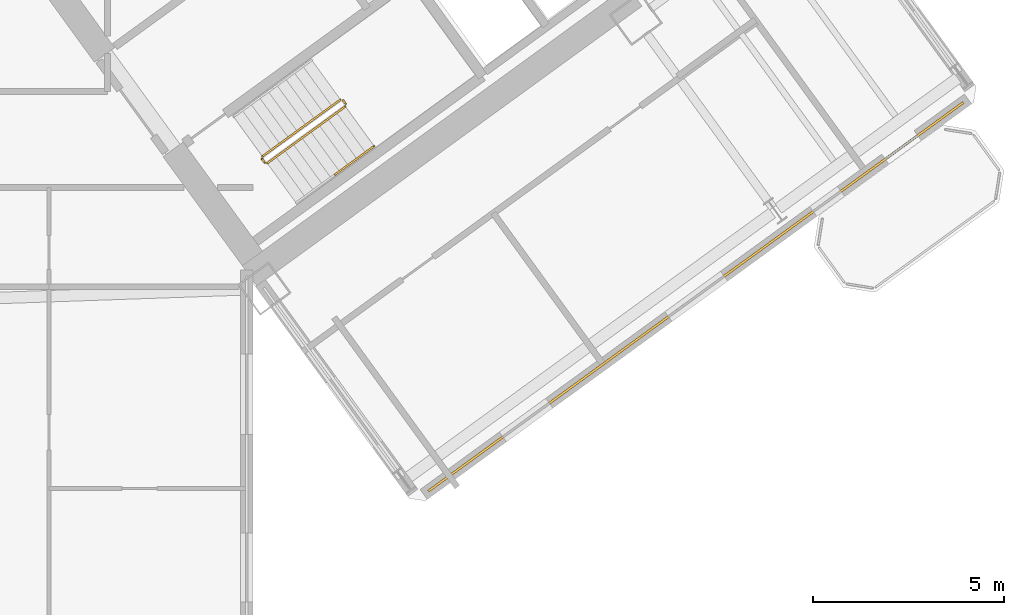
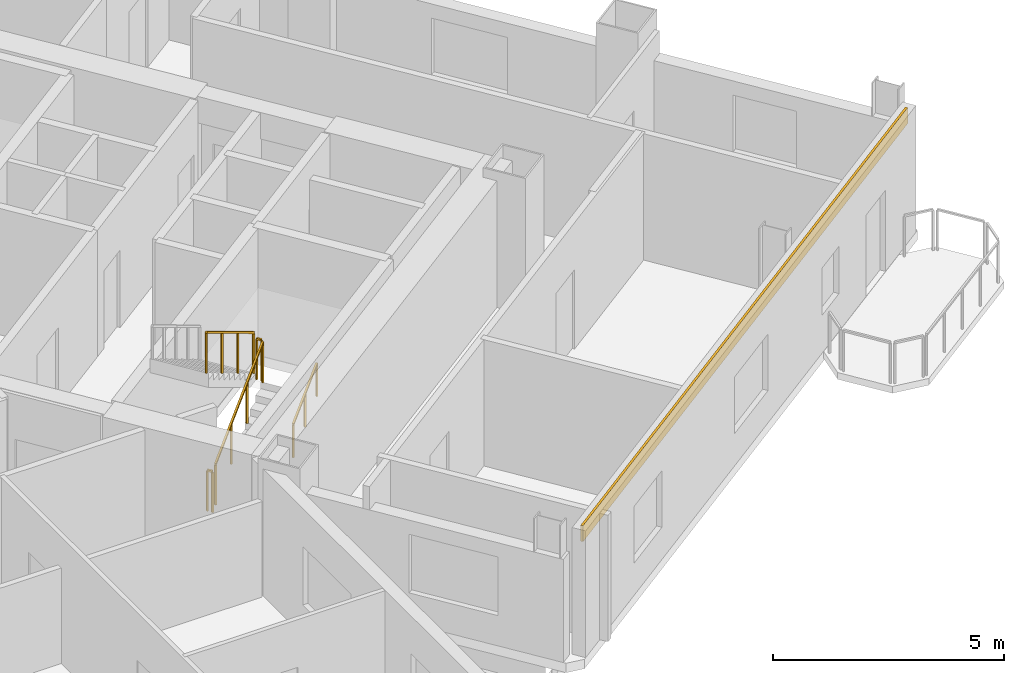
# One storey, part 26 of 28: 5 railings, 1 covering.
"""IFC4 building model written with IfcOpenShell, lengths in metres."""

from ifc_helpers import new_model, si_unit, direction, frame, origin, origin_2d, place, context, subcontext, project, spatial, rectangle, extrude, source, transform, mapped, material, layer, layer_set, type_object, element, save


model = new_model("IFC4")

# Units and contexts
model_context = context("Model", 3, precision=1e-05, world=origin(), true_north=direction((0.0, 1.0)))
body_context = subcontext(model_context, "Body", "Model", "MODEL_VIEW")
ifc_project = project(units=[si_unit("LENGTHUNIT", "METRE"), si_unit("AREAUNIT", "SQUARE_METRE"), si_unit("VOLUMEUNIT", "CUBIC_METRE"), si_unit("PLANEANGLEUNIT", "RADIAN"), si_unit("MASSUNIT", "GRAM", prefix="KILO")], contexts=[model_context])

# Site, building, storey
site_placement = place(None, origin())
site = spatial("IfcSite", under=ifc_project, at=site_placement, CompositionType="ELEMENT")
building_placement = place(site_placement, origin())
building = spatial("IfcBuilding", under=site, at=building_placement, Name="Tlacorven Tower", CompositionType="ELEMENT")
storey_placement = place(building_placement, frame((0.0, 0.0, 42.0)))
storey = spatial("IfcBuildingStorey", under=building, at=storey_placement, Name="L10", CompositionType="ELEMENT", Elevation=42.0)

# Covering
ifc_material_1 = material(Name="Precast concrete C45/55", Category="concrete")
ifc_layer = layer(ifc_material_1, 0.06005859375)
ifc_layer_set = layer_set([ifc_layer], Name="Precast concrete C45/55")
covering_type = type_object("IfcCoveringType", Name="CV-CLD-TERC", PredefinedType="CLADDING", material=ifc_layer_set)
shared_shape_1 = source(origin(), body_context, "Body", "SweptSolid", [
    extrude(rectangle(XDim=17.287353515625, YDim=0.06005859375, at=origin_2d()), origin(), (0.0, 0.0, 1.0), 0.419921875),
])
covering_placement = place(storey_placement, frame((63.9833984375, 12.562255859375, 2.929931640625), z_axis=(0.0, 0.0, 1.0), x_axis=(-0.809017097486, -0.587785110372, 0.0)))
element("IfcCovering", 1, at=covering_placement, inside=storey, type_object=covering_type, Name="L10 Masonry-Frame Spandrel Cladding 6", PredefinedType="CLADDING", context=body_context, shape_type="MappedRepresentation", body=[
    mapped(shared_shape_1, transform((0.0, 0.0, 0.0), scale=1.0)),
])

# Railings
ifc_material_2 = material(Name="Aluminium and painted steel balustrade", Category="steel")
railing_type_1 = type_object("IfcRailingType", Name="RL-GRD-1100", PredefinedType="GUARDRAIL", material=ifc_material_2)
shared_shape_2 = source(origin(), body_context, "Body", "SweptSolid", [
    extrude(rectangle(XDim=0.048095703125, YDim=0.048095703125, at=origin_2d()), frame((0.0, 0.0, 1.076171875), z_axis=(-0.587567097037, 0.809175448515, 0.0), x_axis=(-0.809175448515, -0.587567097037, 0.0)), (0.0, 0.0, 1.0), 0.1201171875),
    extrude(rectangle(XDim=0.0419921875, YDim=0.0419921875, at=origin_2d()), origin(), (0.0, 0.0, 1.0), 1.052001953125),
    extrude(rectangle(XDim=0.0419921875, YDim=0.0419921875, at=origin_2d()), frame((-0.070556640625, 0.09716796875, 0.0)), (0.0, 0.0, 1.0), 1.052001953125),
])
for number, where, name in (
    (2, (54.8310546875, 17.605712890625, 1.800048828125), "L10 ST-E2 stair guard 2"),
    (3, (52.71142578125, 16.065673828125, 0.0), "L10 ST-E2 stair guard 4"),
):
    element("IfcRailing", number, at=place(storey_placement, frame(where)), inside=storey, type_object=railing_type_1, Name=name, PredefinedType="GUARDRAIL", context=body_context, shape_type="MappedRepresentation", body=[
        mapped(shared_shape_2, transform((0.0, 0.0, 0.0), scale=1.0)),
    ])
railing_type_2 = type_object("IfcRailingType", Name="RL-HND-0900", PredefinedType="HANDRAIL", material=ifc_material_2)
shared_shape_3 = source(origin(), body_context, "Body", "SweptSolid", [
    extrude(rectangle(XDim=0.048095703125, YDim=0.048095703125, at=origin_2d()), frame((0.0, 0.0, 0.8759765625), z_axis=(0.680516055757, 0.494372502302, 0.540826891737), x_axis=(-0.587745292299, 0.809046025502, 0.0)), (0.0, 0.0, 1.0), 1.497802734375),
    extrude(rectangle(XDim=0.0419921875, YDim=0.0419921875, at=origin_2d()), origin(), (0.0, 0.0, 1.0), 0.851806640625),
    extrude(rectangle(XDim=0.0419921875, YDim=0.0419921875, at=origin_2d()), frame((0.509765625, 0.3701171875, 0.405029296875)), (0.0, 0.0, 1.0), 0.851806640625),
    extrude(rectangle(XDim=0.0419921875, YDim=0.0419921875, at=origin_2d()), frame((1.019287109375, 0.740478515625, 0.81005859375)), (0.0, 0.0, 1.0), 0.851806640625),
])
railing_1_placement = place(storey_placement, frame((54.552978515625, 15.759765625, 0.989990234375)))
element("IfcRailing", 4, at=railing_1_placement, inside=storey, type_object=railing_type_2, Name="L10 ST-E2 stair handrail 2", PredefinedType="HANDRAIL", context=body_context, shape_type="MappedRepresentation", body=[
    mapped(shared_shape_3, transform((0.0, 0.0, 0.0), scale=1.0)),
])
shared_shape_4 = source(origin(), body_context, "Body", "SweptSolid", [
    extrude(rectangle(XDim=0.048095703125, YDim=0.048095703125, at=origin_2d()), frame((0.0, 0.0, 1.076171875), z_axis=(0.680532390839, 0.494406659708, 0.54077511024), x_axis=(-0.587762637553, 0.809033424462, 0.0)), (0.0, 0.0, 1.0), 2.995849609375),
    extrude(rectangle(XDim=0.0419921875, YDim=0.0419921875, at=origin_2d()), origin(), (0.0, 0.0, 1.0), 1.052001953125),
    extrude(rectangle(XDim=0.0419921875, YDim=0.0419921875, at=origin_2d()), frame((0.6796875, 0.49365234375, 0.5400390625)), (0.0, 0.0, 1.0), 1.052001953125),
    extrude(rectangle(XDim=0.0419921875, YDim=0.0419921875, at=origin_2d()), frame((1.359130859375, 0.987548828125, 1.080078125)), (0.0, 0.0, 1.0), 1.052001953125),
    extrude(rectangle(XDim=0.0419921875, YDim=0.0419921875, at=origin_2d()), frame((2.038818359375, 1.481201171875, 1.6201171875)), (0.0, 0.0, 1.0), 1.052001953125),
])
railing_2_placement = place(storey_placement, frame((52.78125, 16.0546875, 0.179931640625)))
element("IfcRailing", 5, at=railing_2_placement, inside=storey, type_object=railing_type_1, Name="L10 ST-E2 stair guard 1", PredefinedType="GUARDRAIL", context=body_context, shape_type="MappedRepresentation", body=[
    mapped(shared_shape_4, transform((0.0, 0.0, 0.0), scale=1.0)),
])
shared_shape_5 = source(origin(), body_context, "Body", "SweptSolid", [
    extrude(rectangle(XDim=0.048095703125, YDim=0.048095703125, at=origin_2d()), frame((0.0, 0.0, 1.076171875), z_axis=(-0.680532390839, -0.494406659708, 0.54077511024), x_axis=(0.587762637553, -0.809033424462, 0.0)), (0.0, 0.0, 1.0), 2.995849609375),
    extrude(rectangle(XDim=0.0419921875, YDim=0.0419921875, at=origin_2d()), origin(), (0.0, 0.0, 1.0), 1.052001953125),
    extrude(rectangle(XDim=0.0419921875, YDim=0.0419921875, at=origin_2d()), frame((-0.6796875, -0.49365234375, 0.5400390625)), (0.0, 0.0, 1.0), 1.052001953125),
    extrude(rectangle(XDim=0.0419921875, YDim=0.0419921875, at=origin_2d()), frame((-1.359130859375, -0.987548828125, 1.080078125)), (0.0, 0.0, 1.0), 1.052001953125),
    extrude(rectangle(XDim=0.0419921875, YDim=0.0419921875, at=origin_2d()), frame((-2.038818359375, -1.481201171875, 1.6201171875)), (0.0, 0.0, 1.0), 1.052001953125),
])
railing_3_placement = place(storey_placement, frame((54.690673828125, 17.7138671875, 1.97998046875)))
element("IfcRailing", 6, at=railing_3_placement, inside=storey, type_object=railing_type_1, Name="L10 ST-E2 stair guard 3", PredefinedType="GUARDRAIL", context=body_context, shape_type="MappedRepresentation", body=[
    mapped(shared_shape_5, transform((0.0, 0.0, 0.0), scale=1.0)),
])

save(model, "model.ifc")
